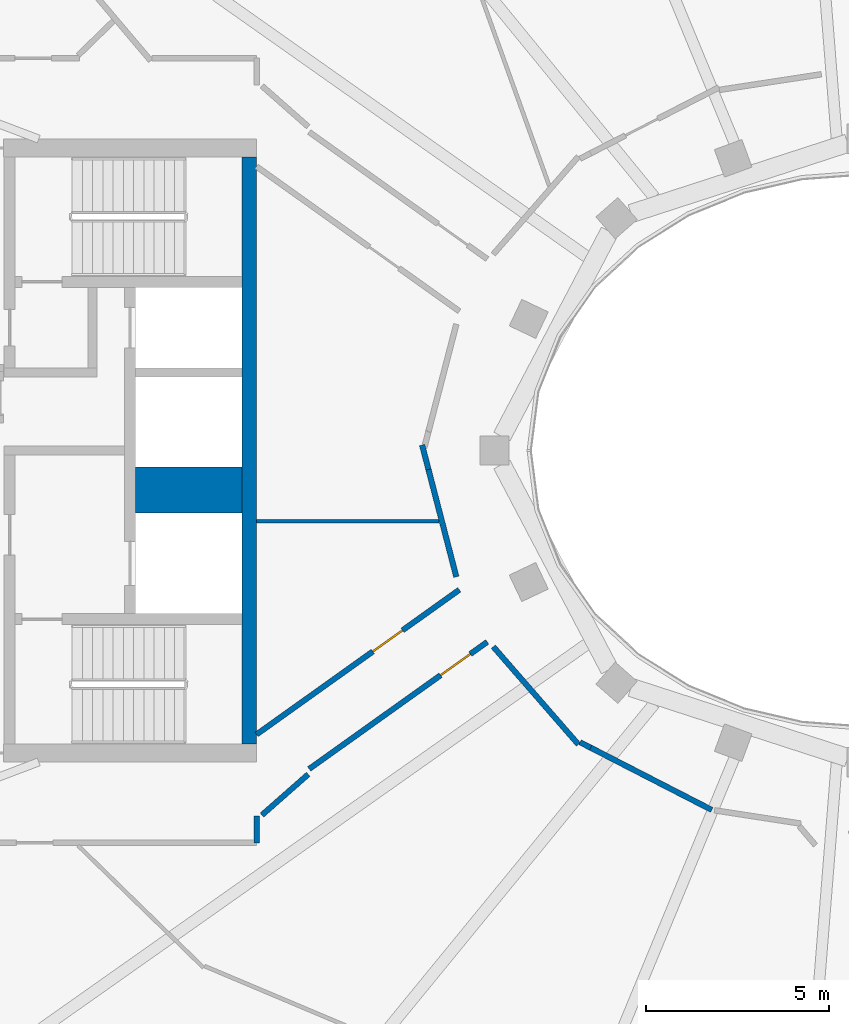
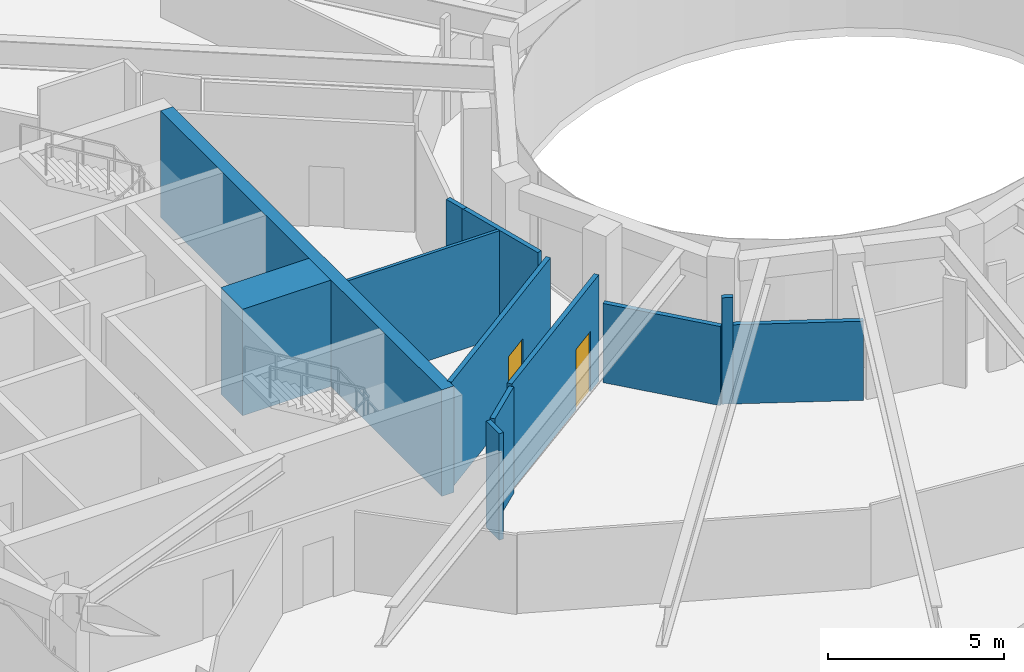
# One storey, part 4 of 18: 12 walls, 2 doors, 2 openings.
"""IFC4 building model written with IfcOpenShell, lengths in metres."""

from ifc_helpers import new_model, si_unit, direction, frame, frame_2d, origin, place, context, subcontext, project, spatial, rectangle, extrude, material, layer, layer_set, type_object, element, fill, save


model = new_model("IFC4")

# Units and contexts
model_context = context("Model", 3, precision=1e-05, world=origin(), true_north=direction((0.0, 1.0)))
body_context = subcontext(model_context, "Body", "Model", "MODEL_VIEW")
ifc_project = project(units=[si_unit("LENGTHUNIT", "METRE"), si_unit("AREAUNIT", "SQUARE_METRE"), si_unit("VOLUMEUNIT", "CUBIC_METRE"), si_unit("PLANEANGLEUNIT", "RADIAN"), si_unit("MASSUNIT", "GRAM", prefix="KILO")], contexts=[model_context])

# Site, building, storey
site_placement = place(None, origin())
site = spatial("IfcSite", under=ifc_project, at=site_placement, CompositionType="ELEMENT")
building_placement = place(site_placement, origin())
building = spatial("IfcBuilding", under=site, at=building_placement, Name="Noorbagh Ring Tower", CompositionType="ELEMENT")
storey_placement = place(building_placement, frame((0.0, 0.0, 319.0)))
storey = spatial("IfcBuildingStorey", under=building, at=storey_placement, Name="L69", CompositionType="ELEMENT", Elevation=319.0)

# Walls
ifc_material_1 = material(Name="Concrete C50/60", Category="concrete")
ifc_layer_1 = layer(ifc_material_1, 1.25)
ifc_layer_set_1 = layer_set([ifc_layer_1], Name="Concrete C50/60")
wall_type_1 = type_object("IfcWallType", Name="CORE-WALL-1250-C50-60-EI120", PredefinedType="SHEAR", material=ifc_layer_set_1)
wall_1_placement = place(storey_placement, frame((-16.89990234375, -1.074951171875, 0.0), z_axis=(0.0, 0.0, 1.0), x_axis=(-1.0, 0.0, 0.0)))
element("IfcWall", 1, at=wall_1_placement, inside=storey, type_object=wall_type_1, Name="Core wall W", PredefinedType="SHEAR", context=body_context, shape_type="SweptSolid", body=[
    extrude(rectangle(XDim=2.900146484375, YDim=1.25, at=frame_2d((1.4501953125, 0.0))), origin(), (0.0, 0.0, 1.0), 3.699951171875),
])
ifc_material_2 = material(Name="Concrete C50/60", Category="concrete")
ifc_layer_2 = layer(ifc_material_2, 0.39990234375)
ifc_layer_set_2 = layer_set([ifc_layer_2], Name="Concrete C50/60")
wall_type_2 = type_object("IfcWallType", Name="CORE-WALL-400-C50-60-EI240", PredefinedType="SHEAR", material=ifc_layer_set_2)
wall_2_placement = place(storey_placement, frame((-16.699951171875, -8.0, 0.0), z_axis=(0.0, 0.0, 1.0), x_axis=(0.0, 1.0, 0.0)))
element("IfcWall", 2, at=wall_2_placement, inside=storey, type_object=wall_type_2, Name="Core wall W", PredefinedType="SHEAR", context=body_context, shape_type="SweptSolid", body=[
    extrude(rectangle(XDim=16.0, YDim=0.39990234375, at=frame_2d((8.0, 0.0))), origin(), (0.0, 0.0, 1.0), 3.699951171875),
])
ifc_material_3 = material(Name="Gypsum board on steel studs", Category="steel")
ifc_layer_3 = layer(ifc_material_3, 0.14990234375)
ifc_layer_set_3 = layer_set([ifc_layer_3], Name="Gypsum board on steel studs")
wall_type_3 = type_object("IfcWallType", Name="CORRIDOR PARTITION 150 EI 30", PredefinedType="PARTITIONING", material=ifc_layer_set_3)
wall_3_placement = place(storey_placement, frame((-16.5, -10.699951171875, 0.0), z_axis=(0.0, 0.0, 1.0), x_axis=(0.0, 1.0, 0.0)))
element("IfcWall", 3, at=wall_3_placement, inside=storey, type_object=wall_type_3, Name="L69/wall/P21", PredefinedType="PARTITIONING", context=body_context, shape_type="SweptSolid", body=[
    extrude(rectangle(XDim=0.73583984375, YDim=0.14990234375, at=frame_2d((0.367919921875, 0.0))), origin(), (0.0, 0.0, 1.0), 3.699951171875),
])

# Wall, opening, door
wall_4_placement = place(storey_placement, frame((-16.5, -7.743896484375, 0.0), z_axis=(0.0, 0.0, 1.0), x_axis=(0.814095150002, 0.580731510032, 0.0)))
wall_4 = element("IfcWall", 4, at=wall_4_placement, inside=storey, type_object=wall_type_3, Name="L69/wall/P24", PredefinedType="PARTITIONING", context=body_context, shape_type="SweptSolid", body=[
    extrude(rectangle(XDim=6.79296875, YDim=0.14990234375, at=frame_2d((3.396484375, 0.0))), origin(), (0.0, 0.0, 1.0), 3.699951171875),
])
opening_1_placement = place(wall_4_placement, frame((3.892822265625, 0.0, 0.0)))
opening_1 = element("IfcOpeningElement", 5, at=opening_1_placement, cuts=wall_4, Name="Opening D1", PredefinedType="OPENING", context=body_context, shape_type="SweptSolid", body=[
    extrude(rectangle(XDim=1.0, YDim=2.10009765625, at=frame_2d((0.5, 1.050048828125))), frame((0.0, 0.0849609375, 0.0), z_axis=(0.0, -1.0, 0.0), x_axis=(1.0, 0.0, 0.0)), (0.0, 0.0, 1.0), 0.169921875),
])
ifc_material_4 = material(Name="Timber, painted", Category="wood")
door_type = type_object("IfcDoorType", Name="DOOR 1000 X 2100 FD30", OperationType="SINGLE_SWING_LEFT", PredefinedType="DOOR", material=ifc_material_4)
door_1_placement = place(opening_1_placement, origin())
door_1 = element("IfcDoor", 6, at=door_1_placement, inside=storey, type_object=door_type, Name="L69-D17", OperationType="SINGLE_SWING_LEFT", OverallHeight=2.10009765625, OverallWidth=1.0, PredefinedType="DOOR", context=body_context, shape_type="SweptSolid", body=[
    extrude(rectangle(XDim=1.0, YDim=2.10009765625, at=frame_2d((0.5, 1.050048828125))), frame((0.0, 0.02490234375, 0.0), z_axis=(0.0, -1.0, 0.0), x_axis=(1.0, 0.0, 0.0)), (0.0, 0.0, 1.0), 0.050048828125),
])
fill(opening_1, door_1)

wall_5_placement = place(storey_placement, frame((-15.06298828125, -8.68408203125, 0.0), z_axis=(0.0, 0.0, 1.0), x_axis=(0.814106730479, 0.580715275663, 0.0)))
wall_5 = element("IfcWall", 7, at=wall_5_placement, inside=storey, type_object=wall_type_3, Name="L69/wall/P26", PredefinedType="PARTITIONING", context=body_context, shape_type="SweptSolid", body=[
    extrude(rectangle(XDim=5.963623046875, YDim=0.14990234375, at=frame_2d((2.98193359375, 0.0))), origin(), (0.0, 0.0, 1.0), 3.699951171875),
])
opening_2_placement = place(wall_5_placement, frame((4.39990234375, 0.0, 0.0)))
opening_2 = element("IfcOpeningElement", 8, at=opening_2_placement, cuts=wall_5, Name="Opening D1", PredefinedType="OPENING", context=body_context, shape_type="SweptSolid", body=[
    extrude(rectangle(XDim=1.0, YDim=2.10009765625, at=frame_2d((0.5, 1.050048828125))), frame((0.0, 0.0849609375, 0.0), z_axis=(0.0, -1.0, 0.0), x_axis=(1.0, 0.0, 0.0)), (0.0, 0.0, 1.0), 0.169921875),
])
door_2_placement = place(opening_2_placement, origin())
door_2 = element("IfcDoor", 9, at=door_2_placement, inside=storey, type_object=door_type, Name="L69-D08", OperationType="SINGLE_SWING_RIGHT", OverallHeight=2.10009765625, OverallWidth=1.0, PredefinedType="DOOR", context=body_context, shape_type="SweptSolid", body=[
    extrude(rectangle(XDim=1.0, YDim=2.10009765625, at=frame_2d((0.5, 1.050048828125))), frame((0.0, 0.02490234375, 0.0), z_axis=(0.0, -1.0, 0.0), x_axis=(1.0, 0.0, 0.0)), (0.0, 0.0, 1.0), 0.050048828125),
])
fill(opening_2, door_2)

# Walls
wall_6_placement = place(storey_placement, frame((-11.98388671875, 0.14892578125, 0.0), z_axis=(0.0, 0.0, 1.0), x_axis=(0.251845889869, -0.967767352082, 0.0)))
element("IfcWall", 10, at=wall_6_placement, inside=storey, type_object=wall_type_3, Name="L69/wall/P28", PredefinedType="PARTITIONING", context=body_context, shape_type="SweptSolid", body=[
    extrude(rectangle(XDim=0.690185546875, YDim=0.14990234375, at=frame_2d((0.34521484375, 0.0))), origin(), (0.0, 0.0, 1.0), 3.699951171875),
])
wall_7_placement = place(storey_placement, frame((-11.822021484375, -0.47412109375, 0.0), z_axis=(0.0, 0.0, 1.0), x_axis=(0.25119126736, -0.967937470709, 0.0)))
element("IfcWall", 11, at=wall_7_placement, inside=storey, type_object=wall_type_3, Name="L69/wall/P32", PredefinedType="PARTITIONING", context=body_context, shape_type="SweptSolid", body=[
    extrude(rectangle(XDim=3.0693359375, YDim=0.14990234375, at=frame_2d((1.53466796875, 0.0))), origin(), (0.0, 0.0, 1.0), 3.699951171875),
])
wall_8_placement = place(storey_placement, frame((-10.04296875, -5.35107421875, 0.0), z_axis=(0.0, 0.0, 1.0), x_axis=(0.656624899746, -0.754217303589, 0.0)))
element("IfcWall", 12, at=wall_8_placement, inside=storey, type_object=wall_type_3, Name="L69/wall/P34", PredefinedType="PARTITIONING", context=body_context, shape_type="SweptSolid", body=[
    extrude(rectangle(XDim=3.534912109375, YDim=0.14990234375, at=frame_2d((1.767578125, 0.0))), origin(), (0.0, 0.0, 1.0), 2.75),
])
wall_9_placement = place(storey_placement, frame((-7.674072265625, -7.95703125, 0.0), z_axis=(0.0, 0.0, 1.0), x_axis=(0.888323550582, -0.459218106657, 0.0)))
element("IfcWall", 13, at=wall_9_placement, inside=storey, type_object=wall_type_3, Name="L69/wall/P38", PredefinedType="PARTITIONING", context=body_context, shape_type="SweptSolid", body=[
    extrude(rectangle(XDim=0.32421875, YDim=0.14990234375, at=frame_2d((0.162109375, 0.0))), origin(), (0.0, 0.0, 1.0), 3.699951171875),
])
wall_10_placement = place(storey_placement, frame((-7.389892578125, -8.10302734375, 0.0), z_axis=(0.0, 0.0, 1.0), x_axis=(0.889364897782, -0.457198073699, 0.0)))
element("IfcWall", 14, at=wall_10_placement, inside=storey, type_object=wall_type_3, Name="L69/wall/P40", PredefinedType="PARTITIONING", context=body_context, shape_type="SweptSolid", body=[
    extrude(rectangle(XDim=3.716064453125, YDim=0.14990234375, at=frame_2d((1.85791015625, 0.0))), origin(), (0.0, 0.0, 1.0), 2.75),
])
wall_11_placement = place(storey_placement, frame((-15.090087890625, -8.8310546875, 0.0), z_axis=(0.0, 0.0, 1.0), x_axis=(-0.750621325629, -0.660732642989, 0.0)))
element("IfcWall", 15, at=wall_11_placement, inside=storey, type_object=wall_type_3, Name="L69/wall/P87", PredefinedType="PARTITIONING", context=body_context, shape_type="SweptSolid", body=[
    extrude(rectangle(XDim=1.68115234375, YDim=0.14990234375, at=frame_2d((0.840576171875, 0.0))), origin(), (0.0, 0.0, 1.0), 3.699951171875),
])
ifc_material_5 = material(Name="Gypsum board on steel studs", Category="steel")
ifc_layer_4 = layer(ifc_material_5, 0.10009765625)
ifc_layer_set_4 = layer_set([ifc_layer_4], Name="Gypsum board on steel studs")
wall_type_4 = type_object("IfcWallType", Name="PARTITION 100 GYPSUM", PredefinedType="PARTITIONING", material=ifc_layer_set_4)
wall_12_placement = place(storey_placement, frame((-16.5, -1.928955078125, 0.0), z_axis=(0.0, 0.0, 1.0), x_axis=(1.0, 0.0, 0.0)))
element("IfcWall", 16, at=wall_12_placement, inside=storey, type_object=wall_type_4, Name="L69/wall/P22", PredefinedType="PARTITIONING", context=body_context, shape_type="SweptSolid", body=[
    extrude(rectangle(XDim=4.97509765625, YDim=0.10009765625, at=frame_2d((2.487548828125, 0.0))), origin(), (0.0, 0.0, 1.0), 3.699951171875),
])

save(model, "model.ifc")
